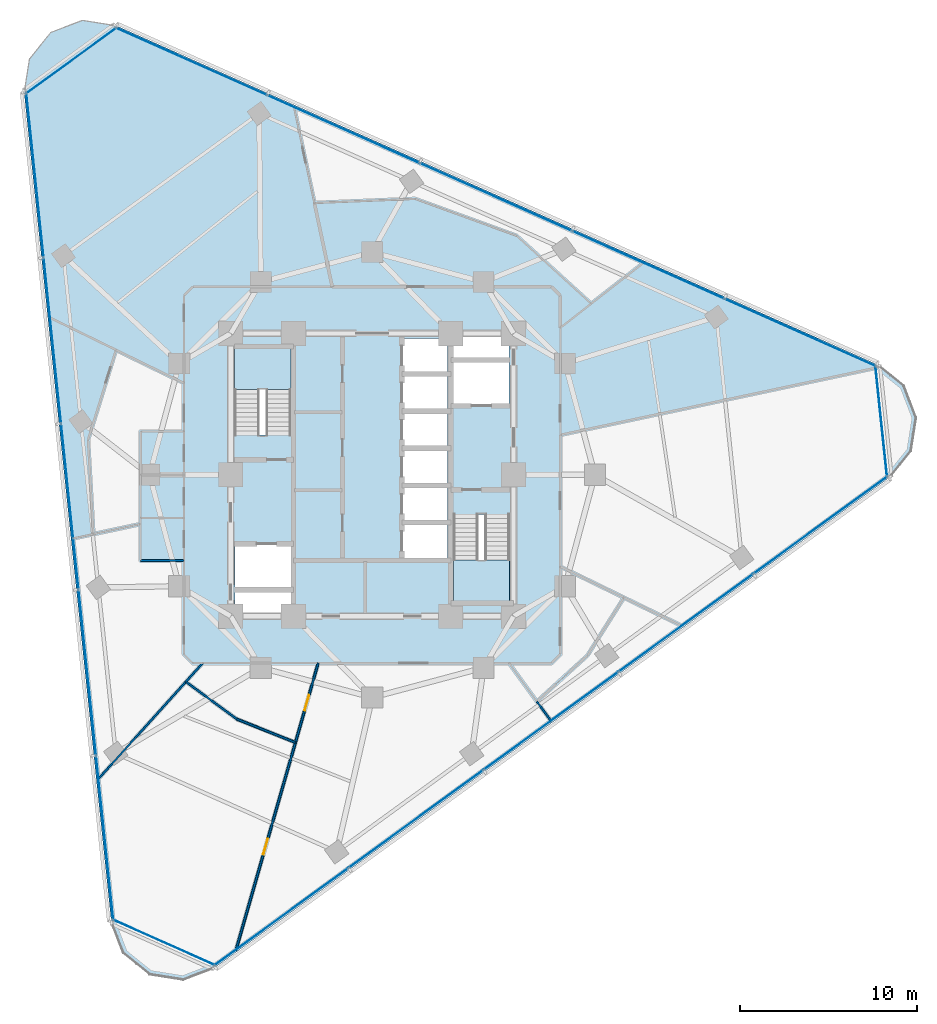
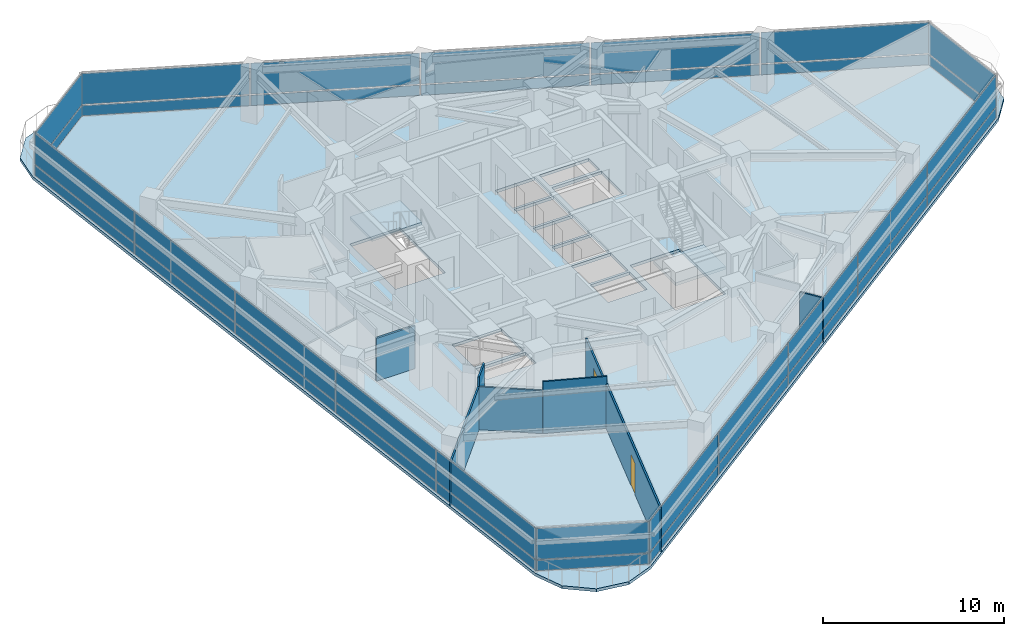
# One storey, part 7 of 14: 36 plates, 8 walls, 3 slabs, 2 doors, 2 openings, 8 elements without a shape of their own.
"""IFC4 building model written with IfcOpenShell, lengths in metres."""

from ifc_helpers import new_model, si_unit, direction, frame, frame_2d, origin, origin_2d, place, context, subcontext, project, spatial, polyline, rectangle, outline, extrude, material, layer, layer_set, type_object, element, fill, aggregate, save


model = new_model("IFC4")

# Units and contexts
model_context = context("Model", 3, precision=1e-05, world=origin(), true_north=direction((0.0, 1.0)))
body_context = subcontext(model_context, "Body", "Model", "MODEL_VIEW")
ifc_project = project(units=[si_unit("LENGTHUNIT", "METRE"), si_unit("AREAUNIT", "SQUARE_METRE"), si_unit("VOLUMEUNIT", "CUBIC_METRE"), si_unit("PLANEANGLEUNIT", "RADIAN"), si_unit("MASSUNIT", "GRAM", prefix="KILO")], contexts=[model_context])

# Site, building, storey
site_placement = place(None, origin())
site = spatial("IfcSite", under=ifc_project, at=site_placement, CompositionType="ELEMENT")
building_placement = place(site_placement, origin())
building = spatial("IfcBuilding", under=site, at=building_placement, Name="Terralouvre Media Tower", CompositionType="ELEMENT")
storey_placement = place(building_placement, frame((0.0, 0.0, 165.699951171875)))
storey = spatial("IfcBuildingStorey", under=building, at=storey_placement, Name="L42", CompositionType="ELEMENT", Elevation=165.699951171875)

# Slab
ifc_material_1 = material(Name="Concrete C40/50", Category="concrete")
ifc_layer_1 = layer(ifc_material_1, 0.199951171875, Name="Composite Tower Floor Slab S-TYP200")
ifc_layer_set_1 = layer_set([ifc_layer_1], Name="Concrete C40/50")
slab_type_1 = type_object("IfcSlabType", Name="Composite Tower Floor Slab S-TYP200", PredefinedType="FLOOR", material=ifc_layer_set_1)
slab_1_placement = place(storey_placement, frame((0.0, 0.0, -0.199951171875), z_axis=(0.0, 0.0, 1.0), x_axis=(0.809016994375, 0.587785252292, 0.0)))
element("IfcSlab", 1, at=slab_1_placement, inside=storey, type_object=slab_type_1, Name="L42 Structural Floor Slab", PredefinedType="FLOOR", context=body_context, shape_type="SweptSolid", body=[
    extrude(outline(polyline([(-26.80419921875, -11.775390625), (-27.300048828125, -13.62548828125), (-26.80419921875, -15.475341796875), (-25.449951171875, -16.829833984375), (-23.60009765625, -17.325439453125), (23.60009765625, -17.325439453125), (25.449951171875, -16.829833984375), (26.80419921875, -15.4755859375), (27.300048828125, -13.62548828125), (26.80419921875, -11.775390625), (3.204345703125, 29.100830078125), (1.85009765625, 30.455322265625), (0.0, 30.950927734375), (-1.85009765625, 30.455322265625), (-3.204345703125, 29.100830078125), (-26.80419921875, -11.775390625)]), holes=[polyline([(-7.600830078125, -2.6357421875), (-8.30615234375, -3.6064453125), (-10.8544921875, -1.7548828125), (-10.149169921875, -0.7841796875), (-7.600830078125, -2.6357421875)]), polyline([(-7.4833984375, -2.473876953125), (-10.03173828125, -0.622314453125), (-8.591552734375, 1.359619140625), (-6.043212890625, -0.49169921875), (-7.4833984375, -2.473876953125)]), polyline([(4.366943359375, -1.2197265625), (2.344482421875, 0.24951171875), (3.48486328125, 1.819091796875), (5.50732421875, 0.349609375), (4.366943359375, -1.2197265625)]), polyline([(6.74169921875, 2.048583984375), (5.601318359375, 0.47900390625), (3.578857421875, 1.948486328125), (4.71923828125, 3.51806640625), (6.74169921875, 2.048583984375)]), polyline([(-2.40185546875, 4.52001953125), (-4.974609375, 6.38916015625), (-2.02685546875, 10.446533203125), (0.5458984375, 8.577392578125), (-2.40185546875, 4.52001953125)]), polyline([(6.835693359375, 2.177978515625), (4.813232421875, 3.6474609375), (5.953369140625, 5.217041015625), (7.97607421875, 3.74755859375), (6.835693359375, 2.177978515625)]), polyline([(-0.5458984375, -8.577392578125), (2.40185546875, -4.52001953125), (4.974609375, -6.38916015625), (2.02685546875, -10.446533203125), (-0.5458984375, -8.577392578125)]), polyline([(0.6640625, -6.316650390625), (-1.358642578125, -4.84716796875), (-0.21826171875, -3.277587890625), (1.80419921875, -4.7470703125), (0.6640625, -6.316650390625)]), polyline([(1.8984375, -4.61767578125), (-0.124267578125, -3.148193359375), (1.01611328125, -1.578857421875), (3.03857421875, -3.04833984375), (1.8984375, -4.61767578125)]), polyline([(4.27294921875, -1.349365234375), (3.132568359375, -2.918701171875), (1.110107421875, -1.44921875), (2.25048828125, 0.1201171875), (4.27294921875, -1.349365234375)]), polyline([(8.591552734375, -1.359619140625), (6.043212890625, 0.49169921875), (7.4833984375, 2.473876953125), (10.03173828125, 0.622314453125), (8.591552734375, -1.359619140625)]), polyline([(10.149169921875, 0.7841796875), (7.600830078125, 2.6357421875), (8.30615234375, 3.6064453125), (10.8544921875, 1.7548828125), (10.149169921875, 0.7841796875)])]), origin(), (0.0, 0.0, 1.0), 0.199951171875),
])

# Stair, slab
ifc_material_2 = material(Name="Concrete C45/55", Category="concrete")
stair_type_1 = type_object("IfcStairType", Name="Dogleg Stair Assembly ST-01", PredefinedType="HALF_TURN_STAIR", material=ifc_material_2)
stair_1_placement = place(storey_placement, origin())
stair_1 = element("IfcStair", 2, at=stair_1_placement, inside=storey, type_object=stair_type_1, Name="L42 Core Pressurised Exit Stair ST-01", PredefinedType="HALF_TURN_STAIR")
ifc_material_3 = material(Name="Concrete C45/55", Category="concrete")
ifc_layer_2 = layer(ifc_material_3, 0.199951171875, Name="Reinforced Concrete Stair Half-Landing SL-LD1")
ifc_layer_set_2 = layer_set([ifc_layer_2], Name="Concrete C45/55")
slab_type_2 = type_object("IfcSlabType", Name="Reinforced Concrete Stair Half-Landing SL-LD1", PredefinedType="LANDING", material=ifc_layer_set_2)
slab_2_placement = place(storey_placement, frame((0.0, 0.0, 1.650146484375)))
slab_2 = element("IfcSlab", 3, at=slab_2_placement, type_object=slab_type_2, Name="ST-01 landing 1", PredefinedType="LANDING", context=body_context, shape_type="SweptSolid", body=[
    extrude(outline(polyline([(-4.60009765625, 4.820068359375), (-4.60009765625, 7.260009765625), (-7.780029296875, 7.260009765625), (-7.780029296875, 4.820068359375), (-4.60009765625, 4.820068359375)])), origin(), (0.0, 0.0, 1.0), 0.199951171875),
])
aggregate(stair_1, [slab_2])

ifc_material_4 = material(Name="Concrete C45/55", Category="concrete")
stair_type_2 = type_object("IfcStairType", Name="Dogleg Stair Assembly ST-02", PredefinedType="HALF_TURN_STAIR", material=ifc_material_4)
stair_2_placement = place(storey_placement, origin())
stair_2 = element("IfcStair", 4, at=stair_2_placement, inside=storey, type_object=stair_type_2, Name="L42 Core Pressurised Exit Stair ST-02", PredefinedType="HALF_TURN_STAIR")
slab_3_placement = place(storey_placement, frame((0.0, 0.0, 1.650146484375)))
slab_3 = element("IfcSlab", 5, at=slab_3_placement, type_object=slab_type_2, Name="ST-02 landing 1", PredefinedType="LANDING", context=body_context, shape_type="SweptSolid", body=[
    extrude(outline(polyline([(4.60009765625, -4.820068359375), (4.60009765625, -7.260009765625), (7.780029296875, -7.260009765625), (7.780029296875, -4.820068359375), (4.60009765625, -4.820068359375)])), origin(), (0.0, 0.0, 1.0), 0.199951171875),
])
aggregate(stair_2, [slab_3])

# Curtain wall, plates
ifc_material_5 = material(Name="Low-iron laminated double glazing with solar-control coating", Category="glass")
ifc_layer_3 = layer(ifc_material_5, 0.1650390625, Name="Rounded Wind-Corner Curved Glazing CW-04")
ifc_layer_set_3 = layer_set([ifc_layer_3], Name="Low-iron laminated double glazing with solar-control coating")
curtain_wall_type_1 = type_object("IfcCurtainWallType", Name="Rounded Wind-Corner Curved Glazing CW-04", PredefinedType="NOTDEFINED", material=ifc_layer_set_3)
curtain_wall_1_placement = place(storey_placement, origin())
curtain_wall_1 = element("IfcCurtainWall", 6, at=curtain_wall_1_placement, inside=storey, type_object=curtain_wall_type_1, Name="L42 Rounded Wind-Corner Curtain Wall C0", PredefinedType="NOTDEFINED")
ifc_material_6 = material(Name="Low-iron laminated double glazing with solar-control coating", Category="glass")
ifc_layer_4 = layer(ifc_material_6, 0.0400390625, Name="Rounded Corner Laminated Vision Panel CWP-03")
ifc_layer_set_4 = layer_set([ifc_layer_4], Name="Low-iron laminated double glazing with solar-control coating")
plate_type_1 = type_object("IfcPlateType", Name="Rounded Corner Laminated Vision Panel CWP-03", PredefinedType="CURTAIN_PANEL", material=ifc_layer_set_4)
plate_1_placement = place(storey_placement, frame((-11.779541015625, -26.45703125, 0.074951171875), z_axis=(0.0, 0.0, 1.0), x_axis=(0.913545408199, -0.406736754128, 0.0)))
plate_1 = element("IfcPlate", 7, at=plate_1_placement, type_object=plate_type_1, Name="CW-04 panel 1.1", PredefinedType="CURTAIN_PANEL", context=body_context, shape_type="SweptSolid", body=[
    extrude(rectangle(XDim=6.258544921875, YDim=0.035888671875, at=origin_2d()), origin(), (0.0, 0.0, 1.0), 0.6875),
])
plate_2_placement = place(storey_placement, frame((-11.779541015625, -26.45703125, 0.837646484375), z_axis=(0.0, 0.0, 1.0), x_axis=(0.913545408199, -0.406736754128, 0.0)))
plate_2 = element("IfcPlate", 8, at=plate_2_placement, type_object=plate_type_1, Name="CW-04 panel 1.2", PredefinedType="CURTAIN_PANEL", context=body_context, shape_type="SweptSolid", body=[
    extrude(rectangle(XDim=6.258544921875, YDim=0.035888671875, at=origin_2d()), origin(), (0.0, 0.0, 1.0), 2.08740234375),
])
aggregate(curtain_wall_1, [plate_1, plate_2])

curtain_wall_2_placement = place(storey_placement, origin())
curtain_wall_2 = element("IfcCurtainWall", 9, at=curtain_wall_2_placement, inside=storey, type_object=curtain_wall_type_1, Name="L42 Rounded Wind-Corner Curtain Wall C1", PredefinedType="NOTDEFINED")
plate_3_placement = place(storey_placement, frame((28.80224609375, 3.02734375, 0.074951171875), z_axis=(0.0, 0.0, 1.0), x_axis=(-0.10452850319, 0.994521891172, 0.0)))
plate_3 = element("IfcPlate", 10, at=plate_3_placement, type_object=plate_type_1, Name="CW-04 panel 1.1", PredefinedType="CURTAIN_PANEL", context=body_context, shape_type="SweptSolid", body=[
    extrude(rectangle(XDim=6.258544921875, YDim=0.035888671875, at=origin_2d()), origin(), (0.0, 0.0, 1.0), 0.6875),
])
plate_4_placement = place(storey_placement, frame((28.80224609375, 3.02734375, 0.837646484375), z_axis=(0.0, 0.0, 1.0), x_axis=(-0.10452850319, 0.994521891172, 0.0)))
plate_4 = element("IfcPlate", 11, at=plate_4_placement, type_object=plate_type_1, Name="CW-04 panel 1.2", PredefinedType="CURTAIN_PANEL", context=body_context, shape_type="SweptSolid", body=[
    extrude(rectangle(XDim=6.258544921875, YDim=0.035888671875, at=origin_2d()), origin(), (0.0, 0.0, 1.0), 2.08740234375),
])
aggregate(curtain_wall_2, [plate_3, plate_4])

curtain_wall_3_placement = place(storey_placement, origin())
curtain_wall_3 = element("IfcCurtainWall", 12, at=curtain_wall_3_placement, inside=storey, type_object=curtain_wall_type_1, Name="L42 Rounded Wind-Corner Curtain Wall C2", PredefinedType="NOTDEFINED")
plate_5_placement = place(storey_placement, frame((-17.022705078125, 23.429931640625, 0.074951171875), z_axis=(0.0, 0.0, 1.0), x_axis=(-0.809017438344, -0.587784641221, 0.0)))
plate_5 = element("IfcPlate", 13, at=plate_5_placement, type_object=plate_type_1, Name="CW-04 panel 1.1", PredefinedType="CURTAIN_PANEL", context=body_context, shape_type="SweptSolid", body=[
    extrude(rectangle(XDim=6.258544921875, YDim=0.035888671875, at=origin_2d()), origin(), (0.0, 0.0, 1.0), 0.6875),
])
plate_6_placement = place(storey_placement, frame((-17.022705078125, 23.429931640625, 0.837646484375), z_axis=(0.0, 0.0, 1.0), x_axis=(-0.809017438344, -0.587784641221, 0.0)))
plate_6 = element("IfcPlate", 14, at=plate_6_placement, type_object=plate_type_1, Name="CW-04 panel 1.2", PredefinedType="CURTAIN_PANEL", context=body_context, shape_type="SweptSolid", body=[
    extrude(rectangle(XDim=6.258544921875, YDim=0.035888671875, at=origin_2d()), origin(), (0.0, 0.0, 1.0), 2.08740234375),
])
aggregate(curtain_wall_3, [plate_5, plate_6])

ifc_material_7 = material(Name="Low-iron laminated double glazing with solar-control coating", Category="glass")
ifc_layer_5 = layer(ifc_material_7, 0.1650390625, Name="Production Studio Tower Curtain Wall CW-03")
ifc_layer_set_5 = layer_set([ifc_layer_5], Name="Low-iron laminated double glazing with solar-control coating")
curtain_wall_type_2 = type_object("IfcCurtainWallType", Name="Production Studio Tower Curtain Wall CW-03", PredefinedType="NOTDEFINED", material=ifc_layer_set_5)
curtain_wall_4_placement = place(storey_placement, origin())
curtain_wall_4 = element("IfcCurtainWall", 15, at=curtain_wall_4_placement, inside=storey, type_object=curtain_wall_type_2, Name="L42 Facade Curtain Wall F0", PredefinedType="NOTDEFINED")
ifc_material_8 = material(Name="Low-iron laminated double glazing with solar-control coating", Category="glass")
ifc_layer_6 = layer(ifc_material_8, 0.035888671875, Name="Vision Double-Glazed Unit CWP-01")
ifc_layer_set_6 = layer_set([ifc_layer_6], Name="Low-iron laminated double glazing with solar-control coating")
plate_type_2 = type_object("IfcPlateType", Name="Vision Double-Glazed Unit CWP-01", PredefinedType="CURTAIN_PANEL", material=ifc_layer_set_6)
plate_7_placement = place(storey_placement, frame((-5.14599609375, -25.005859375, 0.074951171875), z_axis=(0.0, 0.0, 1.0), x_axis=(0.809016917383, 0.587785358263, 0.0)))
plate_7 = element("IfcPlate", 16, at=plate_7_placement, type_object=plate_type_2, Name="CW-03 panel 1.1", PredefinedType="CURTAIN_PANEL", context=body_context, shape_type="SweptSolid", body=[
    extrude(rectangle(XDim=9.327392578125, YDim=0.035888671875, at=origin_2d()), origin(), (0.0, 0.0, 1.0), 0.6875),
])
plate_8_placement = place(storey_placement, frame((-5.14599609375, -25.005859375, 0.837646484375), z_axis=(0.0, 0.0, 1.0), x_axis=(0.809016917383, 0.587785358263, 0.0)))
plate_8 = element("IfcPlate", 17, at=plate_8_placement, type_object=plate_type_2, Name="CW-03 panel 1.2", PredefinedType="CURTAIN_PANEL", context=body_context, shape_type="SweptSolid", body=[
    extrude(rectangle(XDim=9.327392578125, YDim=0.035888671875, at=origin_2d()), origin(), (0.0, 0.0, 1.0), 2.08740234375),
])
plate_9_placement = place(storey_placement, frame((2.47607421875, -19.46826171875, 0.074951171875), z_axis=(0.0, 0.0, 1.0), x_axis=(0.809016917383, 0.587785358263, 0.0)))
plate_9 = element("IfcPlate", 18, at=plate_9_placement, type_object=plate_type_2, Name="CW-03 panel 2.1", PredefinedType="CURTAIN_PANEL", context=body_context, shape_type="SweptSolid", body=[
    extrude(rectangle(XDim=9.364990234375, YDim=0.035888671875, at=origin_2d()), origin(), (0.0, 0.0, 1.0), 0.6875),
])
plate_10_placement = place(storey_placement, frame((2.47607421875, -19.46826171875, 0.837646484375), z_axis=(0.0, 0.0, 1.0), x_axis=(0.809016917383, 0.587785358263, 0.0)))
plate_10 = element("IfcPlate", 19, at=plate_10_placement, type_object=plate_type_2, Name="CW-03 panel 2.2", PredefinedType="CURTAIN_PANEL", context=body_context, shape_type="SweptSolid", body=[
    extrude(rectangle(XDim=9.364990234375, YDim=0.035888671875, at=origin_2d()), origin(), (0.0, 0.0, 1.0), 2.08740234375),
])
plate_11_placement = place(storey_placement, frame((10.113037109375, -13.91943359375, 0.074951171875), z_axis=(0.0, 0.0, 1.0), x_axis=(0.809016917383, 0.587785358263, 0.0)))
plate_11 = element("IfcPlate", 20, at=plate_11_placement, type_object=plate_type_2, Name="CW-03 panel 3.1", PredefinedType="CURTAIN_PANEL", context=body_context, shape_type="SweptSolid", body=[
    extrude(rectangle(XDim=9.364990234375, YDim=0.035888671875, at=origin_2d()), origin(), (0.0, 0.0, 1.0), 0.6875),
])
plate_12_placement = place(storey_placement, frame((10.113037109375, -13.91943359375, 0.837646484375), z_axis=(0.0, 0.0, 1.0), x_axis=(0.809016917383, 0.587785358263, 0.0)))
plate_12 = element("IfcPlate", 21, at=plate_12_placement, type_object=plate_type_2, Name="CW-03 panel 3.2", PredefinedType="CURTAIN_PANEL", context=body_context, shape_type="SweptSolid", body=[
    extrude(rectangle(XDim=9.364990234375, YDim=0.035888671875, at=origin_2d()), origin(), (0.0, 0.0, 1.0), 2.08740234375),
])
plate_13_placement = place(storey_placement, frame((17.750244140625, -8.370849609375, 0.074951171875), z_axis=(0.0, 0.0, 1.0), x_axis=(0.809016917383, 0.587785358263, 0.0)))
plate_13 = element("IfcPlate", 22, at=plate_13_placement, type_object=plate_type_2, Name="CW-03 panel 4.1", PredefinedType="CURTAIN_PANEL", context=body_context, shape_type="SweptSolid", body=[
    extrude(rectangle(XDim=9.364990234375, YDim=0.035888671875, at=origin_2d()), origin(), (0.0, 0.0, 1.0), 0.6875),
])
plate_14_placement = place(storey_placement, frame((17.750244140625, -8.370849609375, 0.837646484375), z_axis=(0.0, 0.0, 1.0), x_axis=(0.809016917383, 0.587785358263, 0.0)))
plate_14 = element("IfcPlate", 23, at=plate_14_placement, type_object=plate_type_2, Name="CW-03 panel 4.2", PredefinedType="CURTAIN_PANEL", context=body_context, shape_type="SweptSolid", body=[
    extrude(rectangle(XDim=9.364990234375, YDim=0.035888671875, at=origin_2d()), origin(), (0.0, 0.0, 1.0), 2.08740234375),
])
plate_15_placement = place(storey_placement, frame((25.3720703125, -2.833251953125, 0.074951171875), z_axis=(0.0, 0.0, 1.0), x_axis=(0.809016917383, 0.587785358263, 0.0)))
plate_15 = element("IfcPlate", 24, at=plate_15_placement, type_object=plate_type_2, Name="CW-03 panel 5.1", PredefinedType="CURTAIN_PANEL", context=body_context, shape_type="SweptSolid", body=[
    extrude(rectangle(XDim=9.327392578125, YDim=0.035888671875, at=origin_2d()), origin(), (0.0, 0.0, 1.0), 0.6875),
])
plate_16_placement = place(storey_placement, frame((25.3720703125, -2.833251953125, 0.837646484375), z_axis=(0.0, 0.0, 1.0), x_axis=(0.809016917383, 0.587785358263, 0.0)))
plate_16 = element("IfcPlate", 25, at=plate_16_placement, type_object=plate_type_2, Name="CW-03 panel 5.2", PredefinedType="CURTAIN_PANEL", context=body_context, shape_type="SweptSolid", body=[
    extrude(rectangle(XDim=9.327392578125, YDim=0.035888671875, at=origin_2d()), origin(), (0.0, 0.0, 1.0), 2.08740234375),
])
aggregate(curtain_wall_4, [plate_7, plate_8, plate_9, plate_10, plate_11, plate_12, plate_13, plate_14, plate_15, plate_16])

curtain_wall_5_placement = place(storey_placement, origin())
curtain_wall_5 = element("IfcCurtainWall", 26, at=curtain_wall_5_placement, inside=storey, type_object=curtain_wall_type_2, Name="L42 Facade Curtain Wall F1", PredefinedType="NOTDEFINED")
plate_17_placement = place(storey_placement, frame((24.228759765625, 8.04638671875, 0.074951171875), z_axis=(0.0, 0.0, 1.0), x_axis=(-0.913545469547, 0.406736616337, 0.0)))
plate_17 = element("IfcPlate", 27, at=plate_17_placement, type_object=plate_type_2, Name="CW-03 panel 1.1", PredefinedType="CURTAIN_PANEL", context=body_context, shape_type="SweptSolid", body=[
    extrude(rectangle(XDim=9.327392578125, YDim=0.035888671875, at=origin_2d()), origin(), (0.0, 0.0, 1.0), 0.6875),
])
plate_18_placement = place(storey_placement, frame((24.228759765625, 8.04638671875, 0.837646484375), z_axis=(0.0, 0.0, 1.0), x_axis=(-0.913545469547, 0.406736616337, 0.0)))
plate_18 = element("IfcPlate", 28, at=plate_18_placement, type_object=plate_type_2, Name="CW-03 panel 1.2", PredefinedType="CURTAIN_PANEL", context=body_context, shape_type="SweptSolid", body=[
    extrude(rectangle(XDim=9.327392578125, YDim=0.035888671875, at=origin_2d()), origin(), (0.0, 0.0, 1.0), 2.08740234375),
])
plate_19_placement = place(storey_placement, frame((15.6220703125, 11.87841796875, 0.074951171875), z_axis=(0.0, 0.0, 1.0), x_axis=(-0.913545469547, 0.406736616337, 0.0)))
plate_19 = element("IfcPlate", 29, at=plate_19_placement, type_object=plate_type_2, Name="CW-03 panel 2.1", PredefinedType="CURTAIN_PANEL", context=body_context, shape_type="SweptSolid", body=[
    extrude(rectangle(XDim=9.364990234375, YDim=0.035888671875, at=origin_2d()), origin(), (0.0, 0.0, 1.0), 0.6875),
])
plate_20_placement = place(storey_placement, frame((15.6220703125, 11.87841796875, 0.837646484375), z_axis=(0.0, 0.0, 1.0), x_axis=(-0.913545469547, 0.406736616337, 0.0)))
plate_20 = element("IfcPlate", 30, at=plate_20_placement, type_object=plate_type_2, Name="CW-03 panel 2.2", PredefinedType="CURTAIN_PANEL", context=body_context, shape_type="SweptSolid", body=[
    extrude(rectangle(XDim=9.364990234375, YDim=0.035888671875, at=origin_2d()), origin(), (0.0, 0.0, 1.0), 2.08740234375),
])
plate_21_placement = place(storey_placement, frame((6.998046875, 15.718017578125, 0.074951171875), z_axis=(0.0, 0.0, 1.0), x_axis=(-0.913545469547, 0.406736616337, 0.0)))
plate_21 = element("IfcPlate", 31, at=plate_21_placement, type_object=plate_type_2, Name="CW-03 panel 3.1", PredefinedType="CURTAIN_PANEL", context=body_context, shape_type="SweptSolid", body=[
    extrude(rectangle(XDim=9.364990234375, YDim=0.035888671875, at=origin_2d()), origin(), (0.0, 0.0, 1.0), 0.6875),
])
plate_22_placement = place(storey_placement, frame((6.998046875, 15.718017578125, 0.837646484375), z_axis=(0.0, 0.0, 1.0), x_axis=(-0.913545469547, 0.406736616337, 0.0)))
plate_22 = element("IfcPlate", 32, at=plate_22_placement, type_object=plate_type_2, Name="CW-03 panel 3.2", PredefinedType="CURTAIN_PANEL", context=body_context, shape_type="SweptSolid", body=[
    extrude(rectangle(XDim=9.364990234375, YDim=0.035888671875, at=origin_2d()), origin(), (0.0, 0.0, 1.0), 2.08740234375),
])
plate_23_placement = place(storey_placement, frame((-1.625732421875, 19.5576171875, 0.074951171875), z_axis=(0.0, 0.0, 1.0), x_axis=(-0.913545469547, 0.406736616337, 0.0)))
plate_23 = element("IfcPlate", 33, at=plate_23_placement, type_object=plate_type_2, Name="CW-03 panel 4.1", PredefinedType="CURTAIN_PANEL", context=body_context, shape_type="SweptSolid", body=[
    extrude(rectangle(XDim=9.364990234375, YDim=0.035888671875, at=origin_2d()), origin(), (0.0, 0.0, 1.0), 0.6875),
])
plate_24_placement = place(storey_placement, frame((-1.625732421875, 19.5576171875, 0.837646484375), z_axis=(0.0, 0.0, 1.0), x_axis=(-0.913545469547, 0.406736616337, 0.0)))
plate_24 = element("IfcPlate", 34, at=plate_24_placement, type_object=plate_type_2, Name="CW-03 panel 4.2", PredefinedType="CURTAIN_PANEL", context=body_context, shape_type="SweptSolid", body=[
    extrude(rectangle(XDim=9.364990234375, YDim=0.035888671875, at=origin_2d()), origin(), (0.0, 0.0, 1.0), 2.08740234375),
])
plate_25_placement = place(storey_placement, frame((-10.232421875, 23.3896484375, 0.074951171875), z_axis=(0.0, 0.0, 1.0), x_axis=(-0.913545469547, 0.406736616337, 0.0)))
plate_25 = element("IfcPlate", 35, at=plate_25_placement, type_object=plate_type_2, Name="CW-03 panel 5.1", PredefinedType="CURTAIN_PANEL", context=body_context, shape_type="SweptSolid", body=[
    extrude(rectangle(XDim=9.327392578125, YDim=0.035888671875, at=origin_2d()), origin(), (0.0, 0.0, 1.0), 0.6875),
])
plate_26_placement = place(storey_placement, frame((-10.232421875, 23.3896484375, 0.837646484375), z_axis=(0.0, 0.0, 1.0), x_axis=(-0.913545469547, 0.406736616337, 0.0)))
plate_26 = element("IfcPlate", 36, at=plate_26_placement, type_object=plate_type_2, Name="CW-03 panel 5.2", PredefinedType="CURTAIN_PANEL", context=body_context, shape_type="SweptSolid", body=[
    extrude(rectangle(XDim=9.327392578125, YDim=0.035888671875, at=origin_2d()), origin(), (0.0, 0.0, 1.0), 2.08740234375),
])
aggregate(curtain_wall_5, [plate_17, plate_18, plate_19, plate_20, plate_21, plate_22, plate_23, plate_24, plate_25, plate_26])

curtain_wall_6_placement = place(storey_placement, origin())
curtain_wall_6 = element("IfcCurtainWall", 37, at=curtain_wall_6_placement, inside=storey, type_object=curtain_wall_type_2, Name="L42 Facade Curtain Wall F2", PredefinedType="NOTDEFINED")
plate_27_placement = place(storey_placement, frame((-19.082763671875, 16.95947265625, 0.074951171875), z_axis=(0.0, 0.0, 1.0), x_axis=(0.104528376236, -0.994521904516, 0.0)))
plate_27 = element("IfcPlate", 38, at=plate_27_placement, type_object=plate_type_2, Name="CW-03 panel 1.1", PredefinedType="CURTAIN_PANEL", context=body_context, shape_type="SweptSolid", body=[
    extrude(rectangle(XDim=9.327392578125, YDim=0.035888671875, at=origin_2d()), origin(), (0.0, 0.0, 1.0), 0.6875),
])
plate_28_placement = place(storey_placement, frame((-19.082763671875, 16.95947265625, 0.837646484375), z_axis=(0.0, 0.0, 1.0), x_axis=(0.104528376236, -0.994521904516, 0.0)))
plate_28 = element("IfcPlate", 39, at=plate_28_placement, type_object=plate_type_2, Name="CW-03 panel 1.2", PredefinedType="CURTAIN_PANEL", context=body_context, shape_type="SweptSolid", body=[
    extrude(rectangle(XDim=9.327392578125, YDim=0.035888671875, at=origin_2d()), origin(), (0.0, 0.0, 1.0), 2.08740234375),
])
plate_29_placement = place(storey_placement, frame((-18.097900390625, 7.58984375, 0.074951171875), z_axis=(0.0, 0.0, 1.0), x_axis=(0.104528376236, -0.994521904516, 0.0)))
plate_29 = element("IfcPlate", 40, at=plate_29_placement, type_object=plate_type_2, Name="CW-03 panel 2.1", PredefinedType="CURTAIN_PANEL", context=body_context, shape_type="SweptSolid", body=[
    extrude(rectangle(XDim=9.364990234375, YDim=0.035888671875, at=origin_2d()), origin(), (0.0, 0.0, 1.0), 0.6875),
])
plate_30_placement = place(storey_placement, frame((-18.097900390625, 7.58984375, 0.837646484375), z_axis=(0.0, 0.0, 1.0), x_axis=(0.104528376236, -0.994521904516, 0.0)))
plate_30 = element("IfcPlate", 41, at=plate_30_placement, type_object=plate_type_2, Name="CW-03 panel 2.2", PredefinedType="CURTAIN_PANEL", context=body_context, shape_type="SweptSolid", body=[
    extrude(rectangle(XDim=9.364990234375, YDim=0.035888671875, at=origin_2d()), origin(), (0.0, 0.0, 1.0), 2.08740234375),
])
plate_31_placement = place(storey_placement, frame((-17.111328125, -1.79833984375, 0.074951171875), z_axis=(0.0, 0.0, 1.0), x_axis=(0.104528376236, -0.994521904516, 0.0)))
plate_31 = element("IfcPlate", 42, at=plate_31_placement, type_object=plate_type_2, Name="CW-03 panel 3.1", PredefinedType="CURTAIN_PANEL", context=body_context, shape_type="SweptSolid", body=[
    extrude(rectangle(XDim=9.364990234375, YDim=0.035888671875, at=origin_2d()), origin(), (0.0, 0.0, 1.0), 0.6875),
])
plate_32_placement = place(storey_placement, frame((-17.111328125, -1.79833984375, 0.837646484375), z_axis=(0.0, 0.0, 1.0), x_axis=(0.104528376236, -0.994521904516, 0.0)))
plate_32 = element("IfcPlate", 43, at=plate_32_placement, type_object=plate_type_2, Name="CW-03 panel 3.2", PredefinedType="CURTAIN_PANEL", context=body_context, shape_type="SweptSolid", body=[
    extrude(rectangle(XDim=9.364990234375, YDim=0.035888671875, at=origin_2d()), origin(), (0.0, 0.0, 1.0), 2.08740234375),
])
plate_33_placement = place(storey_placement, frame((-16.12451171875, -11.186767578125, 0.074951171875), z_axis=(0.0, 0.0, 1.0), x_axis=(0.104528376236, -0.994521904516, 0.0)))
plate_33 = element("IfcPlate", 44, at=plate_33_placement, type_object=plate_type_2, Name="CW-03 panel 4.1", PredefinedType="CURTAIN_PANEL", context=body_context, shape_type="SweptSolid", body=[
    extrude(rectangle(XDim=9.364990234375, YDim=0.035888671875, at=origin_2d()), origin(), (0.0, 0.0, 1.0), 0.6875),
])
plate_34_placement = place(storey_placement, frame((-16.12451171875, -11.186767578125, 0.837646484375), z_axis=(0.0, 0.0, 1.0), x_axis=(0.104528376236, -0.994521904516, 0.0)))
plate_34 = element("IfcPlate", 45, at=plate_34_placement, type_object=plate_type_2, Name="CW-03 panel 4.2", PredefinedType="CURTAIN_PANEL", context=body_context, shape_type="SweptSolid", body=[
    extrude(rectangle(XDim=9.364990234375, YDim=0.035888671875, at=origin_2d()), origin(), (0.0, 0.0, 1.0), 2.08740234375),
])
plate_35_placement = place(storey_placement, frame((-15.1396484375, -20.556396484375, 0.074951171875), z_axis=(0.0, 0.0, 1.0), x_axis=(0.104528376236, -0.994521904516, 0.0)))
plate_35 = element("IfcPlate", 46, at=plate_35_placement, type_object=plate_type_2, Name="CW-03 panel 5.1", PredefinedType="CURTAIN_PANEL", context=body_context, shape_type="SweptSolid", body=[
    extrude(rectangle(XDim=9.327392578125, YDim=0.035888671875, at=origin_2d()), origin(), (0.0, 0.0, 1.0), 0.6875),
])
plate_36_placement = place(storey_placement, frame((-15.1396484375, -20.556396484375, 0.837646484375), z_axis=(0.0, 0.0, 1.0), x_axis=(0.104528376236, -0.994521904516, 0.0)))
plate_36 = element("IfcPlate", 47, at=plate_36_placement, type_object=plate_type_2, Name="CW-03 panel 5.2", PredefinedType="CURTAIN_PANEL", context=body_context, shape_type="SweptSolid", body=[
    extrude(rectangle(XDim=9.327392578125, YDim=0.035888671875, at=origin_2d()), origin(), (0.0, 0.0, 1.0), 2.08740234375),
])
aggregate(curtain_wall_6, [plate_27, plate_28, plate_29, plate_30, plate_31, plate_32, plate_33, plate_34, plate_35, plate_36])

# Walls
ifc_material_9 = material(Name="Low-iron laminated double glazing with solar-control coating", Category="glass")
ifc_layer_7 = layer(ifc_material_9, 0.10009765625, Name="Demountable Glazed Office Partition PT-GL100")
ifc_layer_set_7 = layer_set([ifc_layer_7], Name="Low-iron laminated double glazing with solar-control coating")
wall_type_1 = type_object("IfcWallType", Name="Demountable Glazed Office Partition PT-GL100", PredefinedType="MOVABLE", material=ifc_layer_set_7)
wall_1_placement = place(storey_placement, frame((-10.541015625, -11.70703125, 0.0), z_axis=(0.0, 0.0, 1.0), x_axis=(0.669154347467, 0.743123448201, 0.0)))
element("IfcWall", 48, at=wall_1_placement, inside=storey, type_object=wall_type_1, Name="L42 Interior Partition 027", PredefinedType="MOVABLE", context=body_context, shape_type="SweptSolid", body=[
    extrude(rectangle(XDim=1.422607421875, YDim=0.10009765625, at=frame_2d((0.71142578125, 0.0))), origin(), (0.0, 0.0, 1.0), 3.5),
])
wall_2_placement = place(storey_placement, frame((-15.52783203125, -17.244873046875, 0.0), z_axis=(0.0, 0.0, 1.0), x_axis=(0.669169234172, 0.74311004302, 0.0)))
element("IfcWall", 49, at=wall_2_placement, inside=storey, type_object=wall_type_1, Name="L42 Interior Partition 028", PredefinedType="MOVABLE", context=body_context, shape_type="SweptSolid", body=[
    extrude(rectangle(XDim=7.4521484375, YDim=0.10009765625, at=frame_2d((3.72607421875, 0.0))), origin(), (0.0, 0.0, 1.0), 2.885009765625),
])
wall_3_placement = place(storey_placement, frame((-10.541015625, -11.70703125, 0.0), z_axis=(0.0, 0.0, 1.0), x_axis=(0.806504929698, -0.591227366055, 0.0)))
element("IfcWall", 50, at=wall_3_placement, inside=storey, type_object=wall_type_1, Name="L42 Interior Partition 031", PredefinedType="MOVABLE", context=body_context, shape_type="SweptSolid", body=[
    extrude(rectangle(XDim=3.572265625, YDim=0.10009765625, at=frame_2d((1.7861328125, 0.0))), origin(), (0.0, 0.0, 1.0), 2.885009765625),
])
wall_4_placement = place(storey_placement, frame((-7.659912109375, -13.819091796875, 0.0), z_axis=(0.0, 0.0, 1.0), x_axis=(0.928782740603, -0.37062463593, 0.0)))
element("IfcWall", 51, at=wall_4_placement, inside=storey, type_object=wall_type_1, Name="L42 Interior Partition 032", PredefinedType="MOVABLE", context=body_context, shape_type="SweptSolid", body=[
    extrude(rectangle(XDim=3.572265625, YDim=0.10009765625, at=frame_2d((1.7861328125, 0.0))), origin(), (0.0, 0.0, 1.0), 3.5),
])

# Wall, opening, door
wall_5_placement = place(storey_placement, frame((-4.342041015625, -15.14306640625, 0.0), z_axis=(0.0, 0.0, 1.0), x_axis=(0.275576442642, 0.961279160422, 0.0)))
wall_5 = element("IfcWall", 52, at=wall_5_placement, inside=storey, type_object=wall_type_1, Name="L42 Interior Partition 033", PredefinedType="MOVABLE", context=body_context, shape_type="SweptSolid", body=[
    extrude(rectangle(XDim=4.674072265625, YDim=0.10009765625, at=frame_2d((2.3369140625, 0.0))), origin(), (0.0, 0.0, 1.0), 2.885009765625),
])
opening_1_placement = place(wall_5_placement, frame((1.876953125, 0.0, 0.0)))
opening_1 = element("IfcOpeningElement", 53, at=opening_1_placement, cuts=wall_5, Name="Opening ID-03-92X210", PredefinedType="OPENING", context=body_context, shape_type="SweptSolid", body=[
    extrude(rectangle(XDim=0.919921875, YDim=2.10009765625, at=frame_2d((0.4599609375, 1.050048828125))), frame((0.0, 0.06005859375, 0.0), z_axis=(0.0, -1.0, 0.0), x_axis=(1.0, 0.0, 0.0)), (0.0, 0.0, 1.0), 0.1201171875),
])
ifc_material_10 = material(Name="Engineered hardwood acoustic timber leaf", Category="wood")
door_type = type_object("IfcDoorType", Name="Accessible Restroom and Suite Door ID-03 (920x2100)", OperationType="NOTDEFINED", PredefinedType="DOOR", material=ifc_material_10)
door_1_placement = place(opening_1_placement, origin())
door_1 = element("IfcDoor", 54, at=door_1_placement, inside=storey, type_object=door_type, Name="L42 Broadcast Ethics Seminar Room 2 Door", OperationType="SINGLE_SWING_LEFT", OverallHeight=2.10009765625, OverallWidth=0.919921875, PredefinedType="DOOR", context=body_context, shape_type="SweptSolid", body=[
    extrude(rectangle(XDim=0.919921875, YDim=2.10009765625, at=frame_2d((0.4599609375, 1.050048828125))), frame((0.0, 0.02490234375, 0.0), z_axis=(0.0, -1.0, 0.0), x_axis=(1.0, 0.0, 0.0)), (0.0, 0.0, 1.0), 0.050048828125),
])
fill(opening_1, door_1)

wall_6_placement = place(storey_placement, frame((-7.720703125, -26.926025390625, 0.0), z_axis=(0.0, 0.0, 1.0), x_axis=(0.275633812082, 0.961262712081, 0.0)))
wall_6 = element("IfcWall", 55, at=wall_6_placement, inside=storey, type_object=wall_type_1, Name="L42 Interior Partition 034", PredefinedType="MOVABLE", context=body_context, shape_type="SweptSolid", body=[
    extrude(rectangle(XDim=12.2578125, YDim=0.10009765625, at=frame_2d((6.12890625, 0.0))), origin(), (0.0, 0.0, 1.0), 2.985107421875),
])
opening_2_placement = place(wall_6_placement, frame((5.6689453125, 0.0, 0.0)))
opening_2 = element("IfcOpeningElement", 56, at=opening_2_placement, cuts=wall_6, Name="Opening ID-03-92X210", PredefinedType="OPENING", context=body_context, shape_type="SweptSolid", body=[
    extrude(rectangle(XDim=0.919921875, YDim=2.10009765625, at=frame_2d((0.4599609375, 1.050048828125))), frame((0.0, 0.06005859375, 0.0), z_axis=(0.0, -1.0, 0.0), x_axis=(1.0, 0.0, 0.0)), (0.0, 0.0, 1.0), 0.1201171875),
])
door_2_placement = place(opening_2_placement, origin())
door_2 = element("IfcDoor", 57, at=door_2_placement, inside=storey, type_object=door_type, Name="L42 Voice Coaching Interview Room 3 Door", OperationType="SINGLE_SWING_RIGHT", OverallHeight=2.10009765625, OverallWidth=0.919921875, PredefinedType="DOOR", context=body_context, shape_type="SweptSolid", body=[
    extrude(rectangle(XDim=0.919921875, YDim=2.10009765625, at=frame_2d((0.4599609375, 1.050048828125))), frame((0.0, 0.02490234375, 0.0), z_axis=(0.0, -1.0, 0.0), x_axis=(1.0, 0.0, 0.0)), (0.0, 0.0, 1.0), 0.050048828125),
])
fill(opening_2, door_2)

# Walls
wall_7_placement = place(storey_placement, frame((10.13623046875, -13.9521484375, 0.0), z_axis=(0.0, 0.0, 1.0), x_axis=(-0.587422991792, 0.809280068156, 0.0)))
element("IfcWall", 58, at=wall_7_placement, inside=storey, type_object=wall_type_1, Name="L42 Interior Partition 036", PredefinedType="MOVABLE", context=body_context, shape_type="SweptSolid", body=[
    extrude(rectangle(XDim=1.396484375, YDim=0.10009765625, at=frame_2d((0.6982421875, 0.0))), origin(), (0.0, 0.0, 1.0), 2.985107421875),
])
ifc_material_11 = material(Name="Fire-rated gypsum board drywall partition")
ifc_layer_8 = layer(ifc_material_11, 0.114990234375, Name="Restroom and Pantry Partition PT-115")
ifc_layer_set_8 = layer_set([ifc_layer_8], Name="Fire-rated gypsum board drywall partition")
wall_type_2 = type_object("IfcWallType", Name="Restroom and Pantry Partition PT-115", PredefinedType="PARTITIONING", material=ifc_layer_set_8)
wall_8_placement = place(storey_placement, frame((-13.10009765625, -4.85009765625, 0.0), z_axis=(0.0, 0.0, 1.0), x_axis=(1.0, 0.0, 0.0)))
element("IfcWall", 59, at=wall_8_placement, inside=storey, type_object=wall_type_2, Name="L42 Interior Partition 025", PredefinedType="PARTITIONING", context=body_context, shape_type="SweptSolid", body=[
    extrude(rectangle(XDim=2.4501953125, YDim=0.114990234375, at=frame_2d((1.22509765625, 0.0))), origin(), (0.0, 0.0, 1.0), 2.885009765625),
])

save(model, "model.ifc")
